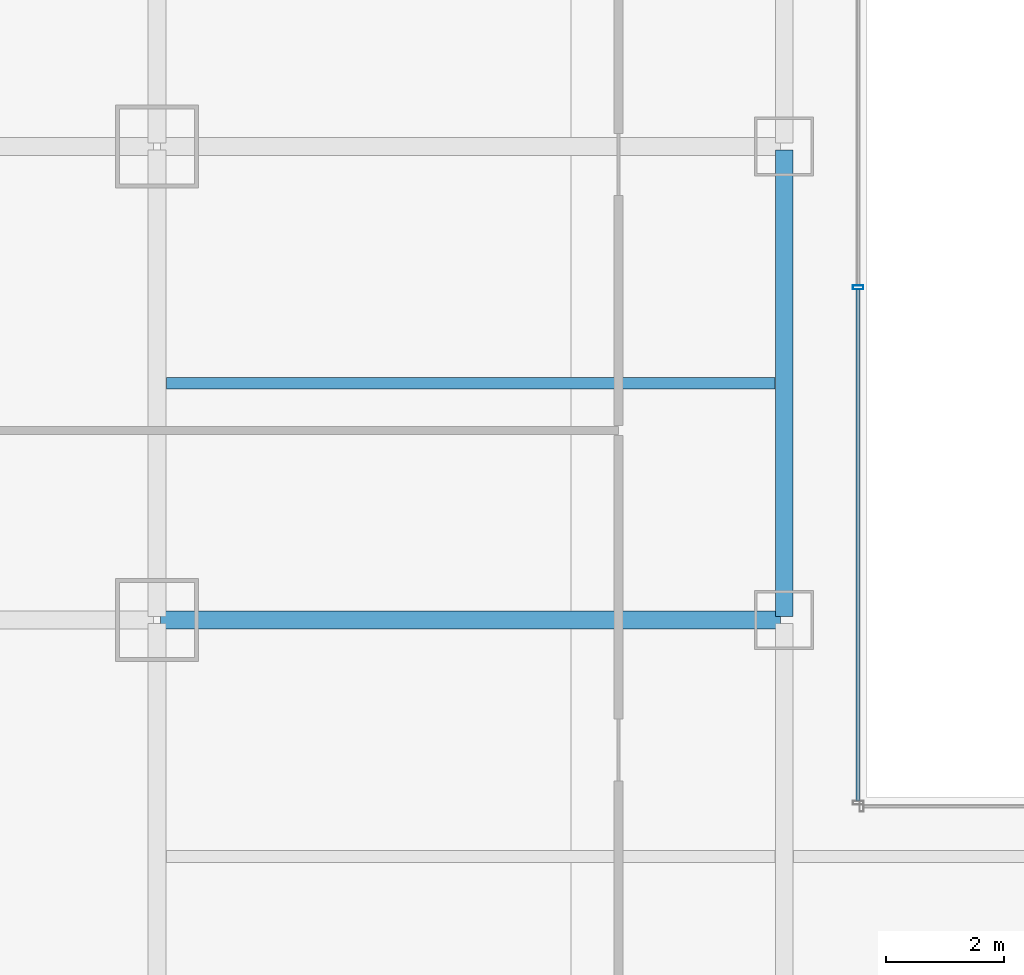
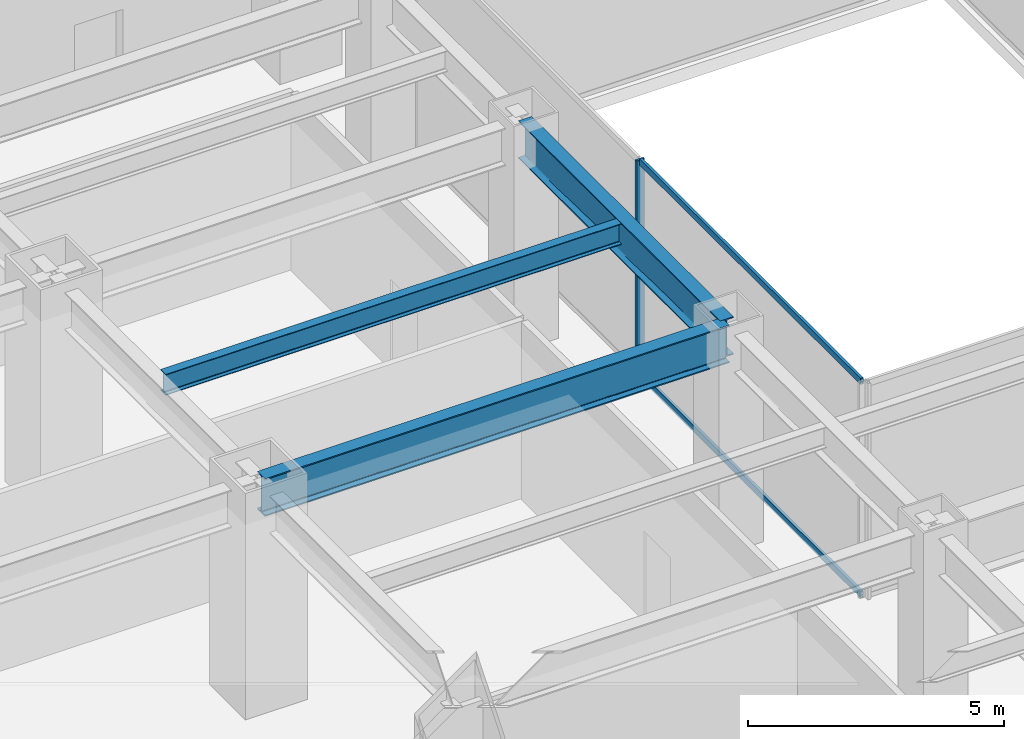
# One storey, part 13 of 53: 3 beams, 3 members, 1 element without a shape of its own.
"""IFC4 building model written with IfcOpenShell, lengths in metres."""

from ifc_helpers import new_model, si_unit, direction, frame, origin, origin_2d, place, context, subcontext, project, spatial, hollow_rectangle, i_section, extrude, material, material_profile, profile_set, type_object, element, aggregate, save


model = new_model("IFC4")

# Units and contexts
model_context = context("Model", 3, precision=1e-05, world=origin(), true_north=direction((0.0, 1.0)))
body_context = subcontext(model_context, "Body", "Model", "MODEL_VIEW")
ifc_project = project(units=[si_unit("LENGTHUNIT", "METRE"), si_unit("AREAUNIT", "SQUARE_METRE"), si_unit("VOLUMEUNIT", "CUBIC_METRE"), si_unit("PLANEANGLEUNIT", "RADIAN"), si_unit("MASSUNIT", "GRAM", prefix="KILO")], contexts=[model_context])

# Site, building, storey
site_placement = place(None, origin())
site = spatial("IfcSite", under=ifc_project, at=site_placement, CompositionType="ELEMENT")
building_placement = place(site_placement, origin())
building = spatial("IfcBuilding", under=site, at=building_placement, Name="Saevonmaru Cultural Tower", CompositionType="ELEMENT")
storey_placement = place(building_placement, frame((0.0, 0.0, 22.199951171875)))
storey = spatial("IfcBuildingStorey", under=building, at=storey_placement, Name="L04", CompositionType="ELEMENT", Elevation=22.199951171875)

# Beams
ifc_material_1 = material(Name="Steel SM420", Category="steel")
ifc_material_profile_1 = material_profile(ifc_material_1, i_section(OverallWidth=0.300048828125, OverallDepth=0.89990234375, WebThickness=0.01611328125, FlangeThickness=0.028076171875, FilletRadius=0.028076171875, at=origin_2d()), Name="H-900x300x16x28")
ifc_profile_set_1 = profile_set([ifc_material_profile_1], Name="Steel SM420")
beam_type_1 = type_object("IfcBeamType", Name="BM-G-H900", PredefinedType="BEAM", material=ifc_profile_set_1)
beam_1_placement = place(storey_placement, frame((22.800048828125, 24.06005859375, 4.699951171875), z_axis=(0.0, 1.0, 0.0), x_axis=(-1.0, 0.0, 0.0)))
element("IfcBeam", 1, at=beam_1_placement, inside=storey, type_object=beam_type_1, Name="L04 Podium Girder NS2-4", PredefinedType="BEAM", context=body_context, shape_type="SweptSolid", body=[
    extrude(i_section(OverallWidth=0.300048828125, OverallDepth=0.89990234375, WebThickness=0.01611328125, FlangeThickness=0.028076171875, FilletRadius=0.028076171875, at=origin_2d()), origin(), (0.0, 0.0, 1.0), 7.8798828125),
])
beam_2_placement = place(storey_placement, frame((12.260009765625, 24.0, 4.699951171875), z_axis=(1.0, 0.0, 0.0), x_axis=(0.0, 1.0, 0.0)))
element("IfcBeam", 2, at=beam_2_placement, inside=storey, type_object=beam_type_1, Name="L04 Gallery Girder W-3", PredefinedType="BEAM", context=body_context, shape_type="SweptSolid", body=[
    extrude(i_section(OverallWidth=0.300048828125, OverallDepth=0.89990234375, WebThickness=0.01611328125, FlangeThickness=0.028076171875, FilletRadius=0.028076171875, at=origin_2d()), origin(), (0.0, 0.0, 1.0), 10.47998046875),
])
ifc_material_2 = material(Name="Steel SM355", Category="steel")
ifc_material_profile_2 = material_profile(ifc_material_2, i_section(OverallWidth=0.199951171875, OverallDepth=0.5, WebThickness=0.010009765625, FlangeThickness=0.01611328125, FilletRadius=0.02001953125, at=origin_2d()), Name="H-500x200x10x16")
ifc_profile_set_2 = profile_set([ifc_material_profile_2], Name="Steel SM355")
beam_type_2 = type_object("IfcBeamType", Name="BM-J-H500", PredefinedType="JOIST", material=ifc_profile_set_2)
beam_3_placement = place(storey_placement, frame((12.35791015625, 28.0, 4.900146484375), z_axis=(1.0, 0.0, 0.0), x_axis=(0.0, 1.0, 0.0)))
element("IfcBeam", 3, at=beam_3_placement, inside=storey, type_object=beam_type_2, Name="L04 Secondary Floor Joist JW-3", PredefinedType="JOIST", context=body_context, shape_type="SweptSolid", body=[
    extrude(i_section(OverallWidth=0.199951171875, OverallDepth=0.5, WebThickness=0.010009765625, FlangeThickness=0.01611328125, FilletRadius=0.02001953125, at=origin_2d()), origin(), (0.0, 0.0, 1.0), 10.2841796875),
])

# Curtain wall, members
ifc_material_3 = material(Name="Satin Bronze Anodised Aluminium", Category="aluminium")
curtain_wall_type = type_object("IfcCurtainWallType", Name="CW-ATR-GLZ", PredefinedType="NOTDEFINED", material=ifc_material_3)
curtain_wall_placement = place(storey_placement, origin())
curtain_wall = element("IfcCurtainWall", 4, at=curtain_wall_placement, inside=storey, type_object=curtain_wall_type, Name="L04 Vertical Atrium Glazed Smoke Screen 4", PredefinedType="NOTDEFINED")
ifc_material_profile_3 = material_profile(ifc_material_3, hollow_rectangle(XDim=0.06494140625, YDim=0.179931640625, WallThickness=0.00390625, at=origin_2d()), Name="ALU-MULL-180x65x4")
ifc_profile_set_3 = profile_set([ifc_material_profile_3], Name="Satin Bronze Anodised Aluminium")
member_type_1 = type_object("IfcMemberType", Name="ML-CW-INT-180x65", PredefinedType="MULLION", material=ifc_profile_set_3)
member_1_placement = place(storey_placement, frame((24.050048828125, 29.6201171875, 0.0), z_axis=(0.0, 0.0, 1.0), x_axis=(0.0, -1.0, 0.0)))
member_1 = element("IfcMember", 5, at=member_1_placement, type_object=member_type_1, Name="CW-ATR-L04-4 mullion 2", PredefinedType="MULLION", context=body_context, shape_type="SweptSolid", body=[
    extrude(hollow_rectangle(XDim=0.06494140625, YDim=0.179931640625, WallThickness=0.00390625, at=origin_2d()), origin(), (0.0, 0.0, 1.0), 5.150146484375),
])
ifc_material_profile_4 = material_profile(ifc_material_3, hollow_rectangle(XDim=0.06494140625, YDim=0.14990234375, WallThickness=0.00390625, at=origin_2d()), Name="ALU-TRAN-150x65x4")
ifc_profile_set_4 = profile_set([ifc_material_profile_4], Name="Satin Bronze Anodised Aluminium")
member_type_2 = type_object("IfcMemberType", Name="TR-CW-INT-150x65", PredefinedType="USERDEFINED", material=ifc_profile_set_4)
member_2_placement = place(storey_placement, frame((24.050048828125, 29.58740234375, 0.032470703125), z_axis=(0.0, -1.0, 0.0), x_axis=(1.0, 0.0, 0.0)))
member_2 = element("IfcMember", 6, at=member_2_placement, type_object=member_type_2, Name="CW-ATR-L04-4 transom 2.1", ObjectType="TRANSOM", PredefinedType="USERDEFINED", context=body_context, shape_type="SweptSolid", body=[
    extrude(hollow_rectangle(XDim=0.06494140625, YDim=0.14990234375, WallThickness=0.00390625, at=origin_2d()), origin(), (0.0, 0.0, 1.0), 8.64501953125),
])
member_3_placement = place(storey_placement, frame((24.050048828125, 29.58740234375, 5.117431640625), z_axis=(0.0, -1.0, 0.0), x_axis=(1.0, 0.0, 0.0)))
member_3 = element("IfcMember", 7, at=member_3_placement, type_object=member_type_2, Name="CW-ATR-L04-4 transom 2.2", ObjectType="TRANSOM", PredefinedType="USERDEFINED", context=body_context, shape_type="SweptSolid", body=[
    extrude(hollow_rectangle(XDim=0.06494140625, YDim=0.14990234375, WallThickness=0.00390625, at=origin_2d()), origin(), (0.0, 0.0, 1.0), 8.64501953125),
])
aggregate(curtain_wall, [member_1, member_2, member_3])

save(model, "model.ifc")
